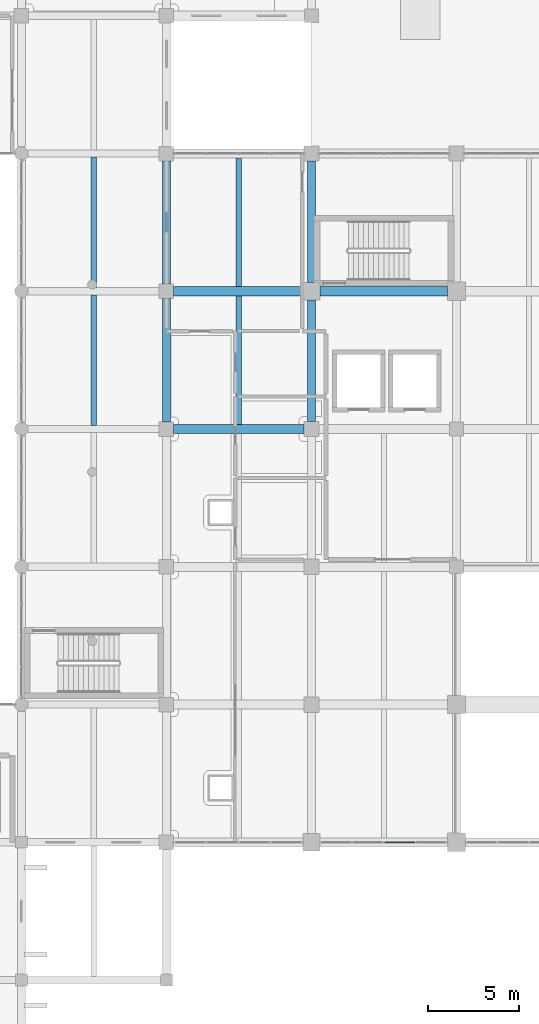
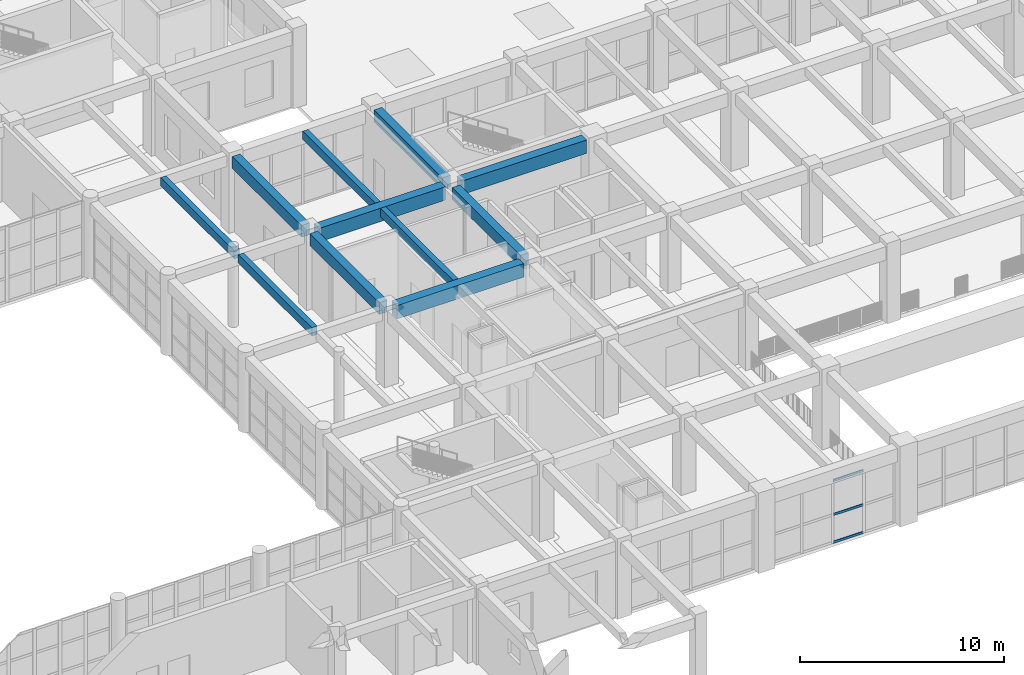
# One storey, part 20 of 101: 11 beams, 3 members, 1 element without a shape of its own.
"""IFC4 building model written with IfcOpenShell, lengths in metres."""

from ifc_helpers import new_model, si_unit, direction, frame, origin, origin_2d, place, context, subcontext, project, spatial, rectangle, hollow_rectangle, extrude, material, material_profile, profile_set, type_object, element, aggregate, save


model = new_model("IFC4")

# Units and contexts
model_context = context("Model", 3, precision=1e-05, world=origin(), true_north=direction((0.0, 1.0)))
body_context = subcontext(model_context, "Body", "Model", "MODEL_VIEW")
ifc_project = project(units=[si_unit("LENGTHUNIT", "METRE"), si_unit("AREAUNIT", "SQUARE_METRE"), si_unit("VOLUMEUNIT", "CUBIC_METRE"), si_unit("PLANEANGLEUNIT", "RADIAN"), si_unit("MASSUNIT", "GRAM", prefix="KILO")], contexts=[model_context])

# Site, building, storey
site_placement = place(None, origin())
site = spatial("IfcSite", under=ifc_project, at=site_placement, CompositionType="ELEMENT")
building_placement = place(site_placement, origin())
building = spatial("IfcBuilding", under=site, at=building_placement, Name="Zantavel Square City Hall", CompositionType="ELEMENT")
storey_placement = place(building_placement, frame((0.0, 0.0, 5.39990234375)))
storey = spatial("IfcBuildingStorey", under=building, at=storey_placement, Name="L02", CompositionType="ELEMENT", Elevation=5.39990234375)

# Curtain wall, members
ifc_material_1 = material(Name="Anodised aluminium 6063-T6", Category="aluminium")
curtain_wall_type = type_object("IfcCurtainWallType", Name="Curtain Wall TRV1 7025x3740", PredefinedType="USERDEFINED", material=ifc_material_1)
curtain_wall_placement = place(storey_placement, origin())
curtain_wall = element("IfcCurtainWall", 1, at=curtain_wall_placement, inside=storey, type_object=curtain_wall_type, Name="L02 Glazed Curtain Wall CW-L02-049", ObjectType="GLAZED CURTAIN WALL", PredefinedType="USERDEFINED")
ifc_material_profile_1 = material_profile(ifc_material_1, hollow_rectangle(XDim=0.06005859375, YDim=0.139892578125, WallThickness=0.00390625, at=origin_2d()), Name="ALU 60x140x4")
ifc_profile_set_1 = profile_set([ifc_material_profile_1], Name="Anodised aluminium 6063-T6")
member_type = type_object("IfcMemberType", Name="CW Transom ALU 60x140x4", PredefinedType="USERDEFINED", material=ifc_profile_set_1)
member_1_placement = place(storey_placement, frame((69.7138671875, 30.39990234375, 0.030029296875), z_axis=(-1.0, 0.0, 0.0), x_axis=(0.0, -1.0, 0.0)))
member_1 = element("IfcMember", 2, at=member_1_placement, type_object=member_type, Name="CW-049 transom 2.1", ObjectType="TRANSOM", PredefinedType="USERDEFINED", context=body_context, shape_type="SweptSolid", body=[
    extrude(hollow_rectangle(XDim=0.06005859375, YDim=0.139892578125, WallThickness=0.00390625, at=origin_2d()), origin(), (0.0, 0.0, 1.0), 1.6962890625),
])
member_2_placement = place(storey_placement, frame((69.7138671875, 30.39990234375, 1.68310546875), z_axis=(-1.0, 0.0, 0.0), x_axis=(0.0, -1.0, 0.0)))
member_2 = element("IfcMember", 3, at=member_2_placement, type_object=member_type, Name="CW-049 transom 2.2", ObjectType="TRANSOM", PredefinedType="USERDEFINED", context=body_context, shape_type="SweptSolid", body=[
    extrude(hollow_rectangle(XDim=0.06005859375, YDim=0.139892578125, WallThickness=0.00390625, at=origin_2d()), origin(), (0.0, 0.0, 1.0), 1.6962890625),
])
member_3_placement = place(storey_placement, frame((69.7138671875, 30.39990234375, 3.710205078125), z_axis=(-1.0, 0.0, 0.0), x_axis=(0.0, -1.0, 0.0)))
member_3 = element("IfcMember", 4, at=member_3_placement, type_object=member_type, Name="CW-049 transom 2.3", ObjectType="TRANSOM", PredefinedType="USERDEFINED", context=body_context, shape_type="SweptSolid", body=[
    extrude(hollow_rectangle(XDim=0.06005859375, YDim=0.139892578125, WallThickness=0.00390625, at=origin_2d()), origin(), (0.0, 0.0, 1.0), 1.6962890625),
])
aggregate(curtain_wall, [member_1, member_2, member_3])

# Beams
ifc_material_2 = material(Name="Concrete C35/45", Category="concrete")
ifc_material_profile_2 = material_profile(ifc_material_2, rectangle(XDim=0.300048828125, YDim=0.5, at=origin_2d()), Name="RC 300x500")
ifc_profile_set_2 = profile_set([ifc_material_profile_2], Name="Concrete C35/45")
beam_type_1 = type_object("IfcBeamType", Name="Floor Joist RC 300x500 C35/45", PredefinedType="JOIST", material=ifc_profile_set_2)
beam_1_placement = place(storey_placement, frame((52.0, 53.39990234375, 4.2900390625), z_axis=(0.0, 1.0, 0.0), x_axis=(-1.0, 0.0, 0.0)))
element("IfcBeam", 5, at=beam_1_placement, inside=storey, type_object=beam_type_1, Name="L02 Floor Joist JST-L02-0520-0532", PredefinedType="JOIST", context=body_context, shape_type="SweptSolid", body=[
    extrude(rectangle(XDim=0.300048828125, YDim=0.5, at=origin_2d()), origin(), (0.0, 0.0, 1.0), 7.2001953125),
])
beam_2_placement = place(storey_placement, frame((52.0, 61.0, 4.2900390625), z_axis=(0.0, 1.0, 0.0), x_axis=(-1.0, 0.0, 0.0)))
element("IfcBeam", 6, at=beam_2_placement, inside=storey, type_object=beam_type_1, Name="L02 Floor Joist JST-L02-0520-0608", PredefinedType="JOIST", context=body_context, shape_type="SweptSolid", body=[
    extrude(rectangle(XDim=0.300048828125, YDim=0.5, at=origin_2d()), origin(), (0.0, 0.0, 1.0), 7.199951171875),
])
beam_3_placement = place(storey_placement, frame((60.0, 53.449951171875, 4.2900390625), z_axis=(0.0, 1.0, 0.0), x_axis=(-1.0, 0.0, 0.0)))
element("IfcBeam", 7, at=beam_3_placement, inside=storey, type_object=beam_type_1, Name="L02 Floor Joist JST-L02-0600-0532", PredefinedType="JOIST", context=body_context, shape_type="SweptSolid", body=[
    extrude(rectangle(XDim=0.300048828125, YDim=0.5, at=origin_2d()), origin(), (0.0, 0.0, 1.0), 7.10009765625),
])
beam_4_placement = place(storey_placement, frame((60.0, 61.050048828125, 4.2900390625), z_axis=(0.0, 1.0, 0.0), x_axis=(-1.0, 0.0, 0.0)))
element("IfcBeam", 8, at=beam_4_placement, inside=storey, type_object=beam_type_1, Name="L02 Floor Joist JST-L02-0600-0608", PredefinedType="JOIST", context=body_context, shape_type="SweptSolid", body=[
    extrude(rectangle(XDim=0.300048828125, YDim=0.5, at=origin_2d()), origin(), (0.0, 0.0, 1.0), 7.099853515625),
])
ifc_material_profile_3 = material_profile(ifc_material_2, rectangle(XDim=0.449951171875, YDim=0.699951171875, at=origin_2d()), Name="RC 450x700")
ifc_profile_set_3 = profile_set([ifc_material_profile_3], Name="Concrete C35/45")
beam_type_2 = type_object("IfcBeamType", Name="Primary Girder RC 450x700 C35/45", PredefinedType="BEAM", material=ifc_profile_set_3)
beam_5_placement = place(storey_placement, frame((56.0, 53.60009765625, 4.190185546875), z_axis=(0.0, 1.0, 0.0), x_axis=(-1.0, 0.0, 0.0)))
element("IfcBeam", 9, at=beam_5_placement, inside=storey, type_object=beam_type_2, Name="L02 Beam BMY-L02-0560-0532", PredefinedType="BEAM", context=body_context, shape_type="SweptSolid", body=[
    extrude(rectangle(XDim=0.449951171875, YDim=0.699951171875, at=origin_2d()), origin(), (0.0, 0.0, 1.0), 6.7998046875),
])
beam_6_placement = place(storey_placement, frame((56.0, 61.199951171875, 4.190185546875), z_axis=(0.0, 1.0, 0.0), x_axis=(-1.0, 0.0, 0.0)))
element("IfcBeam", 10, at=beam_6_placement, inside=storey, type_object=beam_type_2, Name="L02 Beam BMY-L02-0560-0608", PredefinedType="BEAM", context=body_context, shape_type="SweptSolid", body=[
    extrude(rectangle(XDim=0.449951171875, YDim=0.699951171875, at=origin_2d()), origin(), (0.0, 0.0, 1.0), 6.800048828125),
])
beam_7_placement = place(storey_placement, frame((64.0, 53.625, 4.190185546875), z_axis=(0.0, 1.0, 0.0), x_axis=(-1.0, 0.0, 0.0)))
element("IfcBeam", 11, at=beam_7_placement, inside=storey, type_object=beam_type_2, Name="L02 Beam BMY-L02-0640-0532", PredefinedType="BEAM", context=body_context, shape_type="SweptSolid", body=[
    extrude(rectangle(XDim=0.449951171875, YDim=0.699951171875, at=origin_2d()), origin(), (0.0, 0.0, 1.0), 6.699951171875),
])
beam_8_placement = place(storey_placement, frame((64.0, 61.27490234375, 4.190185546875), z_axis=(0.0, 1.0, 0.0), x_axis=(-1.0, 0.0, 0.0)))
element("IfcBeam", 12, at=beam_8_placement, inside=storey, type_object=beam_type_2, Name="L02 Beam BMY-L02-0640-0608", PredefinedType="BEAM", context=body_context, shape_type="SweptSolid", body=[
    extrude(rectangle(XDim=0.449951171875, YDim=0.699951171875, at=origin_2d()), origin(), (0.0, 0.0, 1.0), 6.7001953125),
])
ifc_material_profile_4 = material_profile(ifc_material_2, rectangle(XDim=0.5, YDim=0.800048828125, at=origin_2d()), Name="RC 500x800")
ifc_profile_set_4 = profile_set([ifc_material_profile_4], Name="Concrete C35/45")
beam_type_3 = type_object("IfcBeamType", Name="Primary Girder RC 500x800 C35/45", PredefinedType="BEAM", material=ifc_profile_set_4)
beam_9_placement = place(storey_placement, frame((56.39990234375, 53.199951171875, 4.14013671875), z_axis=(1.0, 0.0, 0.0), x_axis=(0.0, 1.0, 0.0)))
element("IfcBeam", 13, at=beam_9_placement, inside=storey, type_object=beam_type_3, Name="L02 Girder BMX-L02-0560-0532", PredefinedType="BEAM", context=body_context, shape_type="SweptSolid", body=[
    extrude(rectangle(XDim=0.5, YDim=0.800048828125, at=origin_2d()), origin(), (0.0, 0.0, 1.0), 7.175048828125),
])
beam_10_placement = place(storey_placement, frame((56.39990234375, 60.800048828125, 4.14013671875), z_axis=(1.0, 0.0, 0.0), x_axis=(0.0, 1.0, 0.0)))
element("IfcBeam", 14, at=beam_10_placement, inside=storey, type_object=beam_type_3, Name="L02 Girder BMX-L02-0560-0608", PredefinedType="BEAM", context=body_context, shape_type="SweptSolid", body=[
    extrude(rectangle(XDim=0.5, YDim=0.800048828125, at=origin_2d()), origin(), (0.0, 0.0, 1.0), 7.125),
])
beam_11_placement = place(storey_placement, frame((64.47509765625, 60.800048828125, 4.14013671875), z_axis=(1.0, 0.0, 0.0), x_axis=(0.0, 1.0, 0.0)))
element("IfcBeam", 15, at=beam_11_placement, inside=storey, type_object=beam_type_3, Name="L02 Girder BMX-L02-0640-0608", PredefinedType="BEAM", context=body_context, shape_type="SweptSolid", body=[
    extrude(rectangle(XDim=0.5, YDim=0.800048828125, at=origin_2d()), origin(), (0.0, 0.0, 1.0), 7.02490234375),
])

save(model, "model.ifc")
